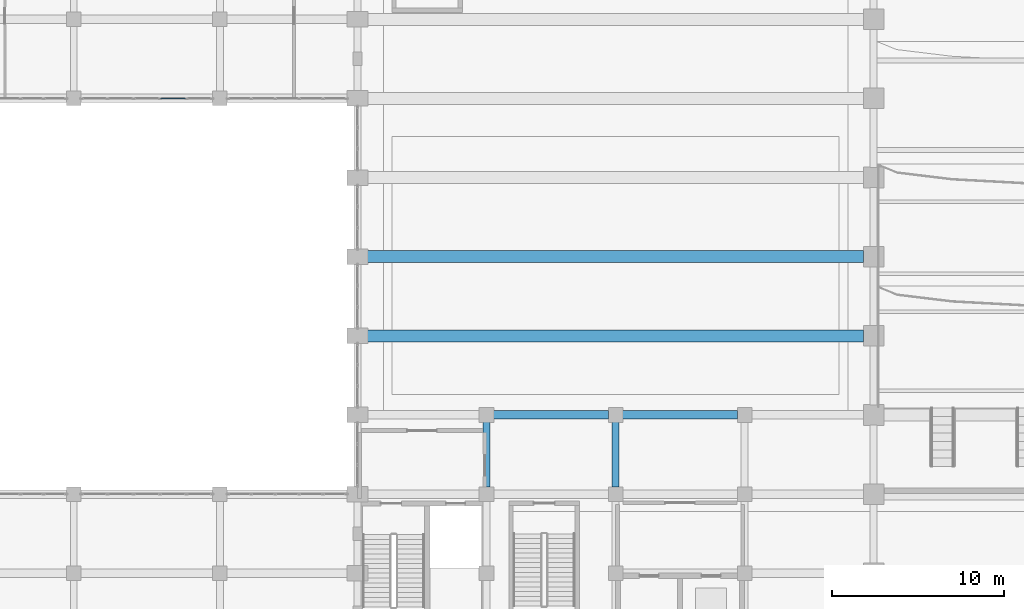
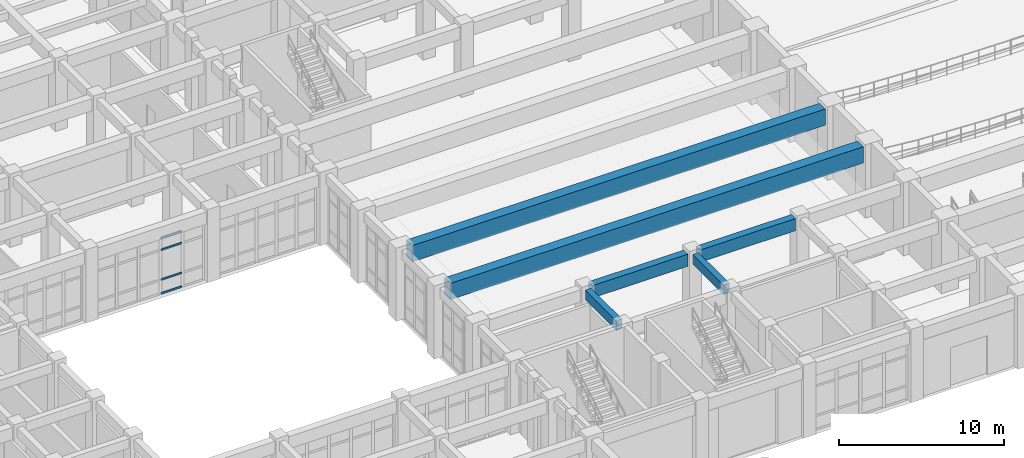
# One storey, part 23 of 84: 6 beams, 4 members, 1 element without a shape of its own.
"""IFC4 building model written with IfcOpenShell, lengths in metres."""

from ifc_helpers import new_model, si_unit, direction, frame, origin, origin_2d, place, context, subcontext, project, spatial, rectangle, hollow_rectangle, extrude, material, layer, layer_set, material_profile, profile_set, type_object, element, aggregate, save


model = new_model("IFC4")

# Units and contexts
model_context = context("Model", 3, precision=1e-05, world=origin(), true_north=direction((0.0, 1.0)))
body_context = subcontext(model_context, "Body", "Model", "MODEL_VIEW")
ifc_project = project(units=[si_unit("LENGTHUNIT", "METRE"), si_unit("AREAUNIT", "SQUARE_METRE"), si_unit("VOLUMEUNIT", "CUBIC_METRE"), si_unit("PLANEANGLEUNIT", "RADIAN"), si_unit("MASSUNIT", "GRAM", prefix="KILO")], contexts=[model_context])

# Site, building, storey
site_placement = place(None, origin())
site = spatial("IfcSite", under=ifc_project, at=site_placement, CompositionType="ELEMENT")
building_placement = place(site_placement, origin())
building = spatial("IfcBuilding", under=site, at=building_placement, Name="Muzn Square Opera House", CompositionType="ELEMENT")
storey_placement = place(building_placement, origin())
storey = spatial("IfcBuildingStorey", under=building, at=storey_placement, Name="L00", CompositionType="ELEMENT", Elevation=0.0)

# Curtain wall, members
ifc_material_1 = material(Name="Low-E laminated acoustic double glazing", Category="glass")
ifc_layer = layer(ifc_material_1, 0.159912109375, Name="Low-E laminated acoustic double glazing", Category="glass")
ifc_layer_set = layer_set([ifc_layer], Name="Low-E laminated acoustic double glazing")
curtain_wall_type = type_object("IfcCurtainWallType", Name="Glazed Curtain Wall WestCloisterN 7650x4150", PredefinedType="USERDEFINED", material=ifc_layer_set)
curtain_wall_placement = place(storey_placement, origin())
curtain_wall = element("IfcCurtainWall", 1, at=curtain_wall_placement, inside=storey, type_object=curtain_wall_type, Name="Glazed Curtain Wall CW-L00-072", ObjectType="GLAZED CURTAIN WALL", PredefinedType="USERDEFINED")
ifc_material_2 = material(Name="Anodised bronze aluminium 6063-T6", Category="metal")
ifc_material_profile_1 = material_profile(ifc_material_2, hollow_rectangle(XDim=0.070068359375, YDim=0.139892578125, WallThickness=0.00390625, at=origin_2d()), Name="ALU 140x70x4", Category="metal")
ifc_profile_set_1 = profile_set([ifc_material_profile_1], Name="Anodised bronze aluminium 6063-T6")
member_type = type_object("IfcMemberType", Name="Curtain Wall Transom 140x70", PredefinedType="USERDEFINED", material=ifc_profile_set_1)
member_1_placement = place(storey_placement, frame((31.550048828125, 54.199951171875, 0.034912109375), z_axis=(1.0, 0.0, 0.0), x_axis=(0.0, 1.0, 0.0)))
member_1 = element("IfcMember", 2, at=member_1_placement, type_object=member_type, Name="CW-WCN-76x41 transom 4.1", ObjectType="TRANSOM", PredefinedType="USERDEFINED", context=body_context, shape_type="SweptSolid", body=[
    extrude(hollow_rectangle(XDim=0.070068359375, YDim=0.139892578125, WallThickness=0.00390625, at=origin_2d()), origin(), (0.0, 0.0, 1.0), 1.4599609375),
])
member_2_placement = place(storey_placement, frame((31.550048828125, 54.199951171875, 1.050048828125), z_axis=(1.0, 0.0, 0.0), x_axis=(0.0, 1.0, 0.0)))
member_2 = element("IfcMember", 3, at=member_2_placement, type_object=member_type, Name="CW-WCN-76x41 transom 4.2", ObjectType="TRANSOM", PredefinedType="USERDEFINED", context=body_context, shape_type="SweptSolid", body=[
    extrude(hollow_rectangle(XDim=0.070068359375, YDim=0.139892578125, WallThickness=0.00390625, at=origin_2d()), origin(), (0.0, 0.0, 1.0), 1.4599609375),
])
member_3_placement = place(storey_placement, frame((31.550048828125, 54.199951171875, 3.25), z_axis=(1.0, 0.0, 0.0), x_axis=(0.0, 1.0, 0.0)))
member_3 = element("IfcMember", 4, at=member_3_placement, type_object=member_type, Name="CW-WCN-76x41 transom 4.3", ObjectType="TRANSOM", PredefinedType="USERDEFINED", context=body_context, shape_type="SweptSolid", body=[
    extrude(hollow_rectangle(XDim=0.070068359375, YDim=0.139892578125, WallThickness=0.00390625, at=origin_2d()), origin(), (0.0, 0.0, 1.0), 1.4599609375),
])
member_4_placement = place(storey_placement, frame((31.550048828125, 54.199951171875, 4.114990234375), z_axis=(1.0, 0.0, 0.0), x_axis=(0.0, 1.0, 0.0)))
member_4 = element("IfcMember", 5, at=member_4_placement, type_object=member_type, Name="CW-WCN-76x41 transom 4.4", ObjectType="TRANSOM", PredefinedType="USERDEFINED", context=body_context, shape_type="SweptSolid", body=[
    extrude(hollow_rectangle(XDim=0.070068359375, YDim=0.139892578125, WallThickness=0.00390625, at=origin_2d()), origin(), (0.0, 0.0, 1.0), 1.4599609375),
])
aggregate(curtain_wall, [member_1, member_2, member_3, member_4])

# Beams
ifc_material_3 = material(Name="Concrete C40/50", Category="concrete")
ifc_material_profile_2 = material_profile(ifc_material_3, rectangle(XDim=0.39990234375, YDim=0.699951171875, at=origin_2d()), Name="RCB 400x700", Category="concrete")
ifc_profile_set_2 = profile_set([ifc_material_profile_2], Name="Concrete C40/50")
beam_type_1 = type_object("IfcBeamType", Name="Primary Girder 400x700", PredefinedType="BEAM", material=ifc_profile_set_2)
for number, where, z_axis, x_axis, name in (
    (6, (50.5, 31.616943359375, 4.77001953125), (0.0, 1.0, 0.0), (-1.0, 0.0, 0.0), "Primary Girder BM-L00-BM-PG700-505_316_505_354-1041"),
    (7, (58.0, 31.616943359375, 4.77001953125), (0.0, 1.0, 0.0), (-1.0, 0.0, 0.0), "Primary Girder BM-L00-BM-PG700-580_316_580_354-1047"),
):
    element("IfcBeam", number, at=place(storey_placement, frame(where, z_axis=z_axis, x_axis=x_axis)), inside=storey, type_object=beam_type_1, Name=name, PredefinedType="BEAM", context=body_context, shape_type="SweptSolid", body=[
        extrude(rectangle(XDim=0.39990234375, YDim=0.699951171875, at=origin_2d()), origin(), (0.0, 0.0, 1.0), 3.76611328125),
    ])
ifc_material_profile_3 = material_profile(ifc_material_3, rectangle(XDim=0.5, YDim=0.89990234375, at=origin_2d()), Name="RCB 500x900", Category="concrete")
ifc_profile_set_3 = profile_set([ifc_material_profile_3], Name="Concrete C40/50")
beam_type_2 = type_object("IfcBeamType", Name="Primary Girder 500x900", PredefinedType="BEAM", material=ifc_profile_set_3)
for number, where, z_axis, x_axis, name in (
    (8, (50.9169921875, 35.800048828125, 4.669921875), (1.0, 0.0, 0.0), (0.0, 1.0, 0.0), "Primary Girder BM-L00-BM-PG900-509_358_576_358-811"),
    (9, (58.4169921875, 35.800048828125, 4.669921875), (1.0, 0.0, 0.0), (0.0, 1.0, 0.0), "Primary Girder BM-L00-BM-PG900-584_358_651_358-812"),
):
    element("IfcBeam", number, at=place(storey_placement, frame(where, z_axis=z_axis, x_axis=x_axis)), inside=storey, type_object=beam_type_2, Name=name, PredefinedType="BEAM", context=body_context, shape_type="SweptSolid", body=[
        extrude(rectangle(XDim=0.5, YDim=0.89990234375, at=origin_2d()), origin(), (0.0, 0.0, 1.0), 6.666015625),
    ])
ifc_material_profile_4 = material_profile(ifc_material_3, rectangle(XDim=0.699951171875, YDim=1.199951171875, at=origin_2d()), Name="RCB 700x1200", Category="concrete")
ifc_profile_set_4 = profile_set([ifc_material_profile_4], Name="Concrete C40/50")
beam_type_3 = type_object("IfcBeamType", Name="Primary Girder 700x1200", PredefinedType="BEAM", material=ifc_profile_set_4)
for number, where, z_axis, x_axis, name in (
    (10, (43.592041015625, 40.39990234375, 4.52001953125), (1.0, 0.0, 0.0), (0.0, 1.0, 0.0), "Primary Girder BM-L00-BM-PG1200-436_404_724_404-823"),
    (11, (43.592041015625, 45.0, 4.52001953125), (1.0, 0.0, 0.0), (0.0, 1.0, 0.0), "Primary Girder BM-L00-BM-PG1200-436_450_724_450-829"),
):
    element("IfcBeam", number, at=place(storey_placement, frame(where, z_axis=z_axis, x_axis=x_axis)), inside=storey, type_object=beam_type_3, Name=name, PredefinedType="BEAM", context=body_context, shape_type="SweptSolid", body=[
        extrude(rectangle(XDim=0.699951171875, YDim=1.199951171875, at=origin_2d()), origin(), (0.0, 0.0, 1.0), 28.81591796875),
    ])

save(model, "model.ifc")
